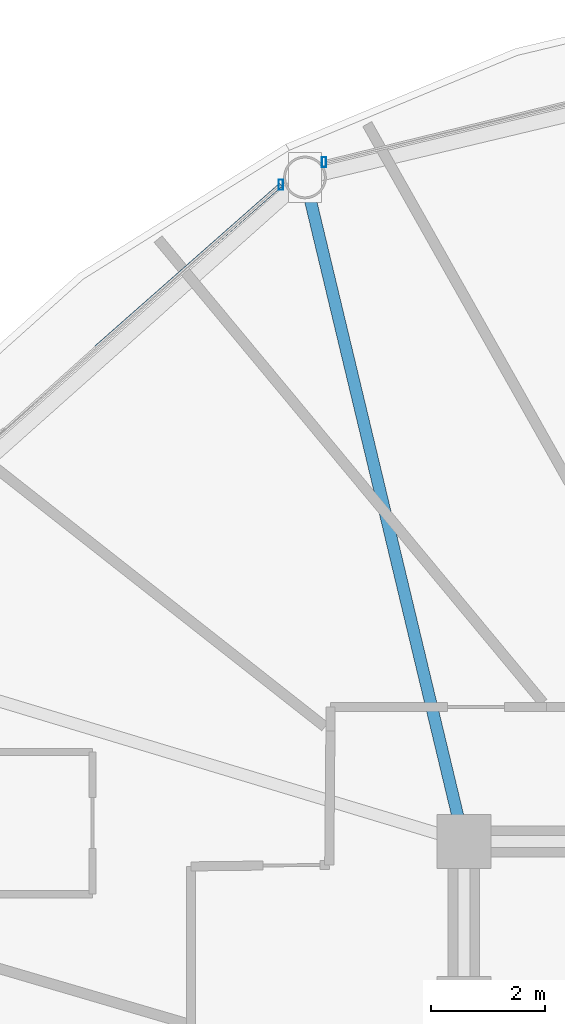
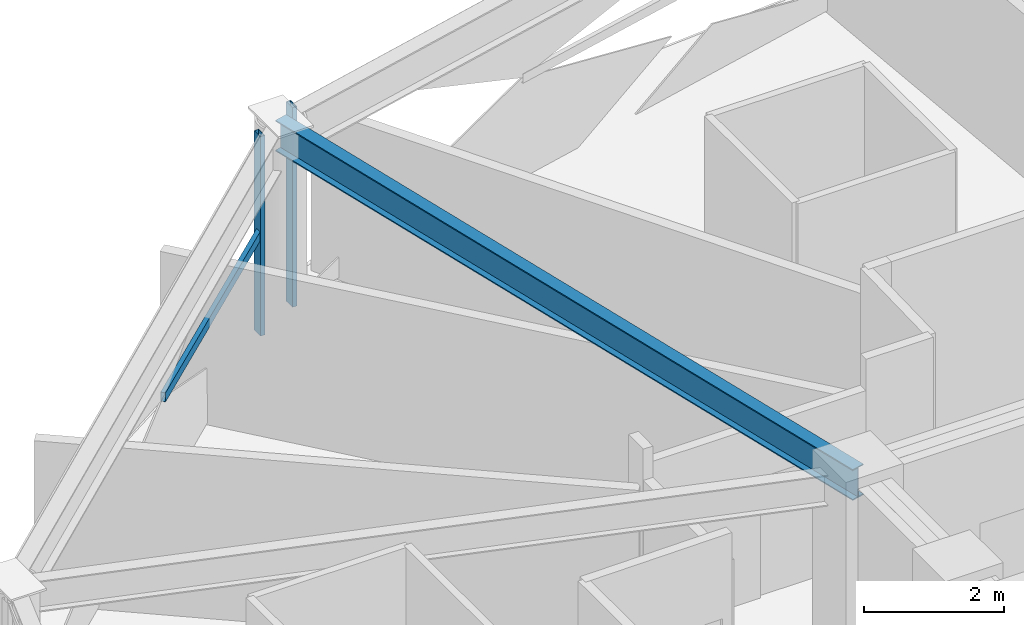
# One storey, part 15 of 30: 3 members, 1 beam, 2 elements without a shape of their own.
"""IFC4 building model written with IfcOpenShell, lengths in metres."""

from ifc_helpers import new_model, si_unit, direction, frame, origin, origin_2d, place, context, subcontext, project, spatial, hollow_rectangle, i_section, extrude, material, layer, layer_set, material_profile, profile_set, type_object, element, aggregate, save


model = new_model("IFC4")

# Units and contexts
model_context = context("Model", 3, precision=1e-05, world=origin(), true_north=direction((0.0, 1.0)))
body_context = subcontext(model_context, "Body", "Model", "MODEL_VIEW")
ifc_project = project(units=[si_unit("LENGTHUNIT", "METRE"), si_unit("AREAUNIT", "SQUARE_METRE"), si_unit("VOLUMEUNIT", "CUBIC_METRE"), si_unit("PLANEANGLEUNIT", "RADIAN"), si_unit("MASSUNIT", "GRAM", prefix="KILO")], contexts=[model_context])

# Site, building, storey
site_placement = place(None, origin())
site = spatial("IfcSite", under=ifc_project, at=site_placement, CompositionType="ELEMENT")
building_placement = place(site_placement, origin())
building = spatial("IfcBuilding", under=site, at=building_placement, Name="Vantalir Tower", CompositionType="ELEMENT")
storey_placement = place(building_placement, frame((0.0, 0.0, 153.449951171875)))
storey = spatial("IfcBuildingStorey", under=building, at=storey_placement, Name="L38", CompositionType="ELEMENT", Elevation=153.449951171875)

# Beam
ifc_material_1 = material(Name="Steel S355", Category="steel")
ifc_material_profile_1 = material_profile(ifc_material_1, i_section(OverallWidth=0.2109375, OverallDepth=0.5390625, WebThickness=0.01171875, FlangeThickness=0.018798828125, at=origin_2d()), Name="Steel S355")
ifc_profile_set_1 = profile_set([ifc_material_profile_1], Name="Steel S355")
beam_type = type_object("IfcBeamType", Name="BM-RB-533x210", PredefinedType="BEAM", material=ifc_profile_set_1)
beam_placement = place(storey_placement, frame((19.10888671875, 44.112060546875, 3.301025390625), z_axis=(0.23275072086, -0.97253642705, 0.0), x_axis=(0.97253642705, 0.23275072086, 0.0)))
element("IfcBeam", 1, at=beam_placement, inside=storey, type_object=beam_type, Name="L38 Radial Floor Beam 05", PredefinedType="BEAM", context=body_context, shape_type="SweptSolid", body=[
    extrude(i_section(OverallWidth=0.2109375, OverallDepth=0.5390625, WebThickness=0.01171875, FlangeThickness=0.018798828125, at=origin_2d()), origin(), (0.0, 0.0, 1.0), 11.991455078125),
])

# Curtain wall, member
ifc_material_2 = material(Name="Champagne-silver PVDF aluminium and double-silver Low-E glass", Category="aluminium")
ifc_layer = layer(ifc_material_2, 0.199951171875)
ifc_layer_set = layer_set([ifc_layer], Name="Champagne-silver PVDF aluminium and double-silver Low-E glass")
curtain_wall_type = type_object("IfcCurtainWallType", Name="CW-DIAMOND-Z2", PredefinedType="USERDEFINED", material=ifc_layer_set)
curtain_wall_1_placement = place(storey_placement, origin())
curtain_wall_1 = element("IfcCurtainWall", 2, at=curtain_wall_1_placement, inside=storey, type_object=curtain_wall_type, Name="L38 Quilted Pyramid-Diamond Curtain Wall S04", ObjectType="UNITISED CURTAIN WALL", PredefinedType="USERDEFINED")
ifc_material_3 = material(Name="Champagne-silver PVDF aluminium 6063-T6", Category="aluminium")
ifc_material_profile_2 = material_profile(ifc_material_3, hollow_rectangle(XDim=0.074951171875, YDim=0.179931640625, WallThickness=0.00390625, at=origin_2d()), Name="Champagne-silver PVDF aluminium 6063-T6")
ifc_profile_set_2 = profile_set([ifc_material_profile_2], Name="Champagne-silver PVDF aluminium 6063-T6")
member_type_1 = type_object("IfcMemberType", Name="CWM-180x75", PredefinedType="MULLION", material=ifc_profile_set_2)
member_1_placement = place(storey_placement, frame((19.44189453125, 44.37890625, 0.045166015625), z_axis=(0.0, 0.0, 1.0), x_axis=(1.0, 0.0, 0.0)))
member_1 = element("IfcMember", 3, at=member_1_placement, type_object=member_type_1, Name="CW-L38-S04 Mullion 2", PredefinedType="MULLION", context=body_context, shape_type="SweptSolid", body=[
    extrude(hollow_rectangle(XDim=0.074951171875, YDim=0.179931640625, WallThickness=0.00390625, at=origin_2d()), origin(), (0.0, 0.0, 1.0), 3.47998046875),
])
aggregate(curtain_wall_1, [member_1])

# Curtain wall, members
curtain_wall_2_placement = place(storey_placement, origin())
curtain_wall_2 = element("IfcCurtainWall", 4, at=curtain_wall_2_placement, inside=storey, type_object=curtain_wall_type, Name="L38 Quilted Pyramid-Diamond Curtain Wall S05", ObjectType="UNITISED CURTAIN WALL", PredefinedType="USERDEFINED")
member_2_placement = place(storey_placement, frame((18.68603515625, 43.98388671875, 0.045166015625), z_axis=(0.0, 0.0, 1.0), x_axis=(1.0, 0.0, 0.0)))
member_2 = element("IfcMember", 5, at=member_2_placement, type_object=member_type_1, Name="CW-L38-S05 Mullion 1", PredefinedType="MULLION", context=body_context, shape_type="SweptSolid", body=[
    extrude(hollow_rectangle(XDim=0.074951171875, YDim=0.179931640625, WallThickness=0.00390625, at=origin_2d()), origin(), (0.0, 0.0, 1.0), 3.47998046875),
])
ifc_material_profile_3 = material_profile(ifc_material_3, hollow_rectangle(XDim=0.074951171875, YDim=0.159912109375, WallThickness=0.00390625, at=origin_2d()), Name="Champagne-silver PVDF aluminium 6063-T6")
ifc_profile_set_3 = profile_set([ifc_material_profile_3], Name="Champagne-silver PVDF aluminium 6063-T6")
member_type_2 = type_object("IfcMemberType", Name="CWT-160x75", PredefinedType="USERDEFINED", material=ifc_profile_set_3)
member_3_placement = place(storey_placement, frame((18.68603515625, 43.98388671875, 1.78515625), z_axis=(-0.7502648762, -0.661137365107, 0.0), x_axis=(0.661137365107, -0.7502648762, 0.0)))
member_3 = element("IfcMember", 6, at=member_3_placement, type_object=member_type_2, Name="CW-L38-S05 Pyramid Fold Ridge Transom", ObjectType="TRANSOM", PredefinedType="USERDEFINED", context=body_context, shape_type="SweptSolid", body=[
    extrude(hollow_rectangle(XDim=0.074951171875, YDim=0.159912109375, WallThickness=0.00390625, at=origin_2d()), origin(), (0.0, 0.0, 1.0), 4.31982421875),
])
aggregate(curtain_wall_2, [member_2, member_3])

save(model, "model.ifc")
